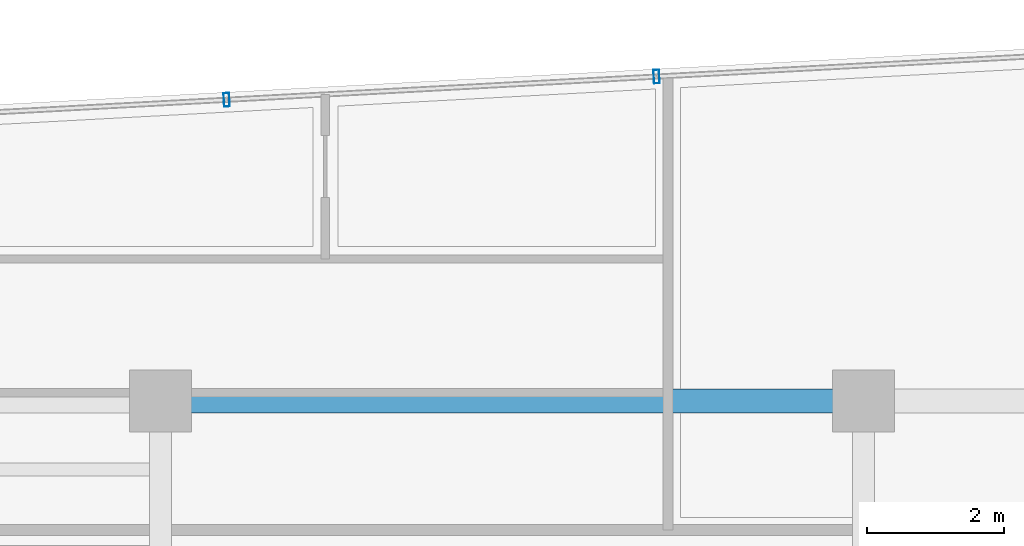
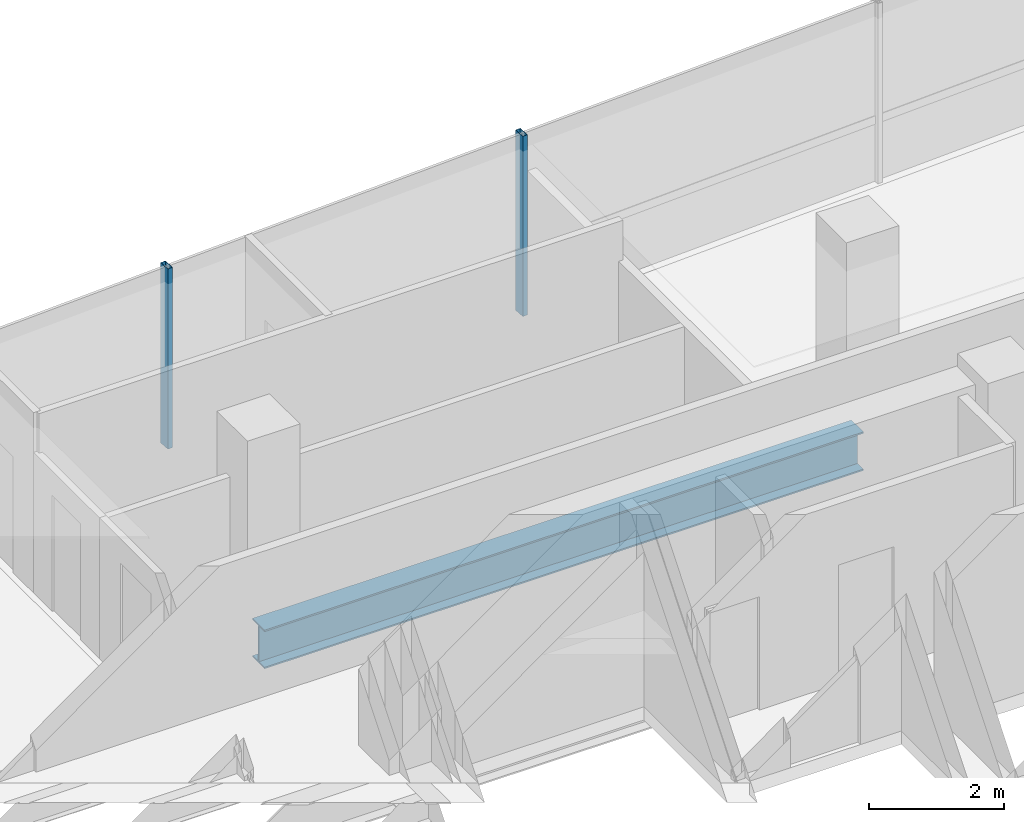
# One storey, part 14 of 24: 2 members, 1 beam, 1 element without a shape of its own.
"""IFC4 building model written with IfcOpenShell, lengths in metres."""

import ifcopenshell
import ifcopenshell.guid

model = None  # the IFC model being written
_history = None  # IfcOwnerHistory: only IFC2X3 demands one
_inside = {}  # id of a spatial element -> (the spatial element, [elements in it])
_under = {}  # id of a project, library or spatial element -> (it, [spatial elements below it])
_declared = {}  # id of a project -> (the project, [libraries it declares])
_typed = {}  # id of a type object -> (the type object, [elements of that type])
_made_of = {}  # id of a material, layer set ... -> (it, [elements and type objects made of it])


def new_model(schema):
    """Start an empty IFC model of exactly this schema.

    Asked for "IFC4X3", IfcOpenShell would pick the latest addendum, in which some entities
    have other attributes; the version numbers below select the first issue.
    IFC2X3 requires an IfcOwnerHistory on every rooted entity: one is made here for all.
    """
    global model, _history
    if schema == "IFC4X3":
        model = ifcopenshell.file(schema_version=(4, 3, 0, 0))
    else:
        model = ifcopenshell.file(schema=schema)
    _inside.clear()
    _under.clear()
    _declared.clear()
    _typed.clear()
    _made_of.clear()
    _history = None
    if model.schema == "IFC2X3":
        org = make("IfcOrganization", Name="unknown")
        user = make(
            "IfcPersonAndOrganization",
            ThePerson=make("IfcPerson", FamilyName="unknown"),
            TheOrganization=org,
        )
        app = make(
            "IfcApplication",
            ApplicationDeveloper=org,
            Version="unknown",
            ApplicationFullName="unknown",
            ApplicationIdentifier="unknown",
        )
        _history = make(
            "IfcOwnerHistory",
            OwningUser=user,
            OwningApplication=app,
            ChangeAction="ADDED",
            CreationDate=0,
        )
    return model


def make(cls, **values):
    """One entity of the class cls with the attributes given. An attribute that is None is left unset."""
    return model.create_entity(
        cls, **{name: value for name, value in values.items() if value is not None}
    )


def rooted(cls, **values):
    """An entity with a GlobalId (a new one), such as an element, a storey or a relation."""
    return make(cls, GlobalId=ifcopenshell.guid.new(), OwnerHistory=_history, **values)


def si_unit(unit_type, name, prefix=None):
    """IfcSIUnit, for example si_unit("LENGTHUNIT", "METRE", prefix="MILLI")."""
    return make("IfcSIUnit", UnitType=unit_type, Prefix=prefix, Name=name)


def assignment(units):
    """IfcUnitAssignment: the units of a project."""
    return None if units is None else make("IfcUnitAssignment", Units=units)


def point(xyz):
    """IfcCartesianPoint."""
    return None if xyz is None else make("IfcCartesianPoint", Coordinates=xyz)


def direction(xyz):
    """IfcDirection."""
    return None if xyz is None else make("IfcDirection", DirectionRatios=xyz)


def frame(location, z_axis=None, x_axis=None):
    """IfcAxis2Placement3D, a coordinate frame: its origin and axes. An axis left out is left unset."""
    return make(
        "IfcAxis2Placement3D",
        Location=point(location),
        Axis=direction(z_axis),
        RefDirection=direction(x_axis),
    )


def frame_2d(location, x_axis=None):
    """IfcAxis2Placement2D, a coordinate frame in the plane: its origin and x axis."""
    return make(
        "IfcAxis2Placement2D", Location=point(location), RefDirection=direction(x_axis)
    )


def origin():
    """The frame at (0, 0, 0) with its axes left unset."""
    return frame((0.0, 0.0, 0.0))


def origin_2d():
    """The frame at (0, 0) in the plane with its x axis left unset."""
    return frame_2d((0.0, 0.0))


def place(relative_to, where):
    """IfcLocalPlacement: puts the frame where relative to a parent placement (None: the world)."""
    return make(
        "IfcLocalPlacement", PlacementRelTo=relative_to, RelativePlacement=where
    )


def context(
    kind, dimensions, precision=None, world=None, true_north=None, identifier=None
):
    """IfcGeometricRepresentationContext, for example the 3D "Model" context."""
    return make(
        "IfcGeometricRepresentationContext",
        ContextIdentifier=identifier,
        ContextType=kind,
        CoordinateSpaceDimension=dimensions,
        Precision=precision,
        WorldCoordinateSystem=world,
        TrueNorth=true_north,
    )


def subcontext(parent, identifier, kind, view, scale=None):
    """IfcGeometricRepresentationSubContext, for example "Body" below "Model"."""
    return make(
        "IfcGeometricRepresentationSubContext",
        ContextIdentifier=identifier,
        ContextType=kind,
        ParentContext=parent,
        TargetScale=scale,
        TargetView=view,
    )


def project(units=None, contexts=None):
    """IfcProject with its units and contexts."""
    return rooted(
        "IfcProject",
        Name="project",
        RepresentationContexts=contexts,
        UnitsInContext=assignment(units),
    )


def spatial(cls, under=None, at=None, **own):
    """A site, building, storey or space (cls), placed at a placement, below another one or the project."""
    s = rooted(cls, ObjectPlacement=at, **own)
    if under is not None:
        _under.setdefault(under.id(), (under, []))[1].append(s)
    return s


def profile(cls, at=None, kind="AREA", **sizes):
    """A parametric profile (cls). Its sizes go by their IFC names, for example OverallWidth=200.0."""
    return make(cls, ProfileType=kind, Position=at, **sizes)


def hollow_rectangle(**sizes):
    """IfcRectangleHollowProfileDef."""
    return profile("IfcRectangleHollowProfileDef", **sizes)


def i_section(**sizes):
    """IfcIShapeProfileDef."""
    return profile("IfcIShapeProfileDef", **sizes)


def extrude(swept, where, along, depth):
    """IfcExtrudedAreaSolid: the profile swept, set in the frame where, extruded along a direction by depth."""
    return make(
        "IfcExtrudedAreaSolid",
        SweptArea=swept,
        Position=where,
        ExtrudedDirection=direction(along),
        Depth=depth,
    )


def shape(context_of_items, identifier, shape_type, items):
    """IfcShapeRepresentation: the items that make up one representation, for example the "Body"."""
    return make(
        "IfcShapeRepresentation",
        ContextOfItems=context_of_items,
        RepresentationIdentifier=identifier,
        RepresentationType=shape_type,
        Items=items,
    )


def source(mapping_origin, context_of_items, identifier, shape_type, items):
    """IfcRepresentationMap: a shape defined once, which mapped items show again and again."""
    return make(
        "IfcRepresentationMap",
        MappingOrigin=mapping_origin,
        MappedRepresentation=shape(context_of_items, identifier, shape_type, items),
    )


def transform(
    local_origin,
    x_axis=None,
    y_axis=None,
    z_axis=None,
    scale=None,
    scale2=None,
    scale3=None,
    uniform=True,
):
    """IfcCartesianTransformationOperator3D, or its non-uniform kind. x_axis, y_axis, z_axis: its Axis1, 2, 3."""
    if uniform:
        return make(
            "IfcCartesianTransformationOperator3D",
            Axis1=direction(x_axis),
            Axis2=direction(y_axis),
            LocalOrigin=point(local_origin),
            Scale=scale,
            Axis3=direction(z_axis),
        )
    return make(
        "IfcCartesianTransformationOperator3DnonUniform",
        Axis1=direction(x_axis),
        Axis2=direction(y_axis),
        LocalOrigin=point(local_origin),
        Scale=scale,
        Axis3=direction(z_axis),
        Scale2=scale2,
        Scale3=scale3,
    )


def mapped(mapping_source, mapping_target):
    """IfcMappedItem: shows the shape of a source again, moved by a transform."""
    return make(
        "IfcMappedItem", MappingSource=mapping_source, MappingTarget=mapping_target
    )


def material(Name=None, Category=None):
    """IfcMaterial."""
    return make("IfcMaterial", Name=Name, Category=Category)


def material_profile(
    of_material, cross_section, Name=None, Category=None, Priority=None
):
    """IfcMaterialProfile: a cross section and its material."""
    return make(
        "IfcMaterialProfile",
        Name=Name,
        Material=of_material,
        Profile=cross_section,
        Priority=Priority,
        Category=Category,
    )


def profile_set(profiles, Name=None, composite=None):
    """IfcMaterialProfileSet."""
    return make(
        "IfcMaterialProfileSet",
        Name=Name,
        MaterialProfiles=profiles,
        CompositeProfile=composite,
    )


def made_of(thing, what):
    """Note that an element or type object is made of a material, layer set ...; save() writes the relation."""
    if what is not None:
        _made_of.setdefault(what.id(), (what, []))[1].append(thing)
    return thing


def type_object(cls, material=None, **own):
    """A type object (cls), such as IfcWallType, which elements share."""
    return made_of(rooted(cls, **own), material)


def element(
    cls,
    number,
    at=None,
    inside=None,
    cuts=None,
    type_object=None,
    material=None,
    context=None,
    identifier="Body",
    shape_type=None,
    held_by="IfcProductDefinitionShape",
    body=None,
    shapes=None,
    **own,
):
    """One element of the class cls, such as IfcWall. Its Tag is "e" and its number.

    at: its placement. inside: the storey or other place that contains it. cuts: it is an
    opening in that element (IfcRelVoidsElement). A single representation is given by context,
    identifier, shape_type and body (its items); several are given by shapes. held_by: the class
    of the entity that holds the representations. save() writes the other relations.
    """
    e = rooted(cls, Tag="e%d" % number, ObjectPlacement=at, **own)
    if body is not None:
        shapes = [shape(context, identifier, shape_type, body)]
    if shapes is not None:
        e.Representation = make(held_by, Representations=shapes)
    if inside is not None:
        _inside.setdefault(inside.id(), (inside, []))[1].append(e)
    if cuts is not None:
        rooted(
            "IfcRelVoidsElement", RelatingBuildingElement=cuts, RelatedOpeningElement=e
        )
    if type_object is not None:
        _typed.setdefault(type_object.id(), (type_object, []))[1].append(e)
    return made_of(e, material)


def aggregate(whole, parts):
    """IfcRelAggregates: a whole, such as a stair, and the parts it consists of."""
    return rooted("IfcRelAggregates", RelatingObject=whole, RelatedObjects=parts)


def save(model, path):
    """Write the relations noted so far, then the file.

    IfcRelAggregates (storeys below a building ...), IfcRelContainedInSpatialStructure (elements
    in a storey), IfcRelDefinesByType, IfcRelAssociatesMaterial and IfcRelDeclares: one each for
    every whole, place, type object, material and project.
    """
    for whole, parts in _under.values():
        aggregate(whole, parts)
    for where, things in _inside.values():
        rooted(
            "IfcRelContainedInSpatialStructure",
            RelatedElements=things,
            RelatingStructure=where,
        )
    for kind, things in _typed.values():
        rooted("IfcRelDefinesByType", RelatedObjects=things, RelatingType=kind)
    for what, things in _made_of.values():
        rooted("IfcRelAssociatesMaterial", RelatedObjects=things, RelatingMaterial=what)
    for by, libraries in _declared.values():
        rooted("IfcRelDeclares", RelatingContext=by, RelatedDefinitions=libraries)
    model.write(path)


model = new_model("IFC4")

# Units and contexts
model_context = context("Model", 3, precision=1e-05, world=origin(), true_north=direction((0.0, 1.0)))
body_context = subcontext(model_context, "Body", "Model", "MODEL_VIEW")
ifc_project = project(units=[si_unit("LENGTHUNIT", "METRE"), si_unit("AREAUNIT", "SQUARE_METRE"), si_unit("VOLUMEUNIT", "CUBIC_METRE"), si_unit("PLANEANGLEUNIT", "RADIAN"), si_unit("MASSUNIT", "GRAM", prefix="KILO")], contexts=[model_context])

# Site, building, storey
site_placement = place(None, origin())
site = spatial("IfcSite", under=ifc_project, at=site_placement, CompositionType="ELEMENT")
building_placement = place(site_placement, origin())
building = spatial("IfcBuilding", under=site, at=building_placement, Name="Valdorenza Pilgrim Sanctuary Tower", CompositionType="ELEMENT")
storey_placement = place(building_placement, frame((0.0, 0.0, 205.5)))
storey = spatial("IfcBuildingStorey", under=building, at=storey_placement, Name="L52", CompositionType="ELEMENT", Elevation=205.5)

# Beam
ifc_material_1 = material(Name="Steel ASTM A992 Grade 50", Category="steel")
ifc_material_profile_1 = material_profile(ifc_material_1, i_section(OverallWidth=0.35595703125, OverallDepth=0.700927734375, WebThickness=0.016845703125, FlangeThickness=0.02734375, at=origin_2d()), Name="W27X161")
ifc_profile_set_1 = profile_set([ifc_material_profile_1], Name="Steel ASTM A992 Grade 50")
beam_type = type_object("IfcBeamType", Name="STR-BM-GRD-W27", PredefinedType="BEAM", material=ifc_profile_set_1)
shared_shape_1 = source(origin(), body_context, "Body", "SweptSolid", [
    extrude(i_section(OverallWidth=0.35595703125, OverallDepth=0.700927734375, WebThickness=0.016845703125, FlangeThickness=0.02734375, at=origin_2d()), origin(), (0.0, 0.0, 1.0), 10.25),
])
beam_placement = place(storey_placement, frame((-22.64990234375, 14.800048828125, -0.590576171875), z_axis=(1.0, 0.0, 0.0), x_axis=(0.0, 1.0, 0.0)))
element("IfcBeam", 1, at=beam_placement, inside=storey, type_object=beam_type, Name="L52 Floor Girder CA-XC-N2", PredefinedType="BEAM", context=body_context, shape_type="MappedRepresentation", body=[
    mapped(shared_shape_1, transform((0.0, 0.0, 0.0), x_axis=(1.0, 0.0, 0.0), y_axis=(0.0, 1.0, 0.0), z_axis=(0.0, 0.0, 1.0), scale=1.0)),
])

# Curtain wall, members
ifc_material_2 = material(Name="Curtain-wall IGU glazing", Category="glass")
curtain_wall_type = type_object("IfcCurtainWallType", Name="CW-SYS-02", PredefinedType="NOTDEFINED", material=ifc_material_2)
curtain_wall_placement = place(storey_placement, origin())
curtain_wall = element("IfcCurtainWall", 2, at=curtain_wall_placement, inside=storey, type_object=curtain_wall_type, Name="L52 Curtain Wall CW-L52-1-6", PredefinedType="NOTDEFINED")
ifc_material_3 = material(Name="Anodised aluminium AW-6060", Category="aluminium")
ifc_material_profile_2 = material_profile(ifc_material_3, hollow_rectangle(XDim=0.0849609375, YDim=0.199951171875, WallThickness=0.0048828125, at=origin_2d()), Name="ALU-M 200x85x5")
ifc_profile_set_2 = profile_set([ifc_material_profile_2], Name="Anodised aluminium AW-6060")
member_type = type_object("IfcMemberType", Name="CW-MUL-02", PredefinedType="MULLION", material=ifc_profile_set_2)
shared_shape_2 = source(origin(), body_context, "Body", "SweptSolid", [
    extrude(hollow_rectangle(XDim=0.0849609375, YDim=0.199951171875, WallThickness=0.0048828125, at=origin_2d()), origin(), (0.0, 0.0, 1.0), 3.260009765625),
])
member_1_placement = place(storey_placement, frame((-21.686279296875, 19.1923828125, 0.0), z_axis=(0.0, 0.0, 1.0), x_axis=(0.998547034311, 0.053887106711, 0.0)))
member_1 = element("IfcMember", 3, at=member_1_placement, type_object=member_type, Name="CW-L52-1-6 Mullion 2", PredefinedType="MULLION", context=body_context, shape_type="MappedRepresentation", body=[
    mapped(shared_shape_2, transform((0.0, 0.0, 0.0), x_axis=(1.0, 0.0, 0.0), y_axis=(0.0, 1.0, 0.0), z_axis=(0.0, 0.0, 1.0), scale=1.0)),
])
member_2_placement = place(storey_placement, frame((-15.4169921875, 19.531005859375, 0.0), z_axis=(0.0, 0.0, 1.0), x_axis=(0.998547034311, 0.053887106711, 0.0)))
member_2 = element("IfcMember", 4, at=member_2_placement, type_object=member_type, Name="CW-L52-1-6 Mullion 3", PredefinedType="MULLION", context=body_context, shape_type="MappedRepresentation", body=[
    mapped(shared_shape_2, transform((0.0, 0.0, 0.0), x_axis=(1.0, 0.0, 0.0), y_axis=(0.0, 1.0, 0.0), z_axis=(0.0, 0.0, 1.0), scale=1.0)),
])
aggregate(curtain_wall, [member_1, member_2])

save(model, "model.ifc")
